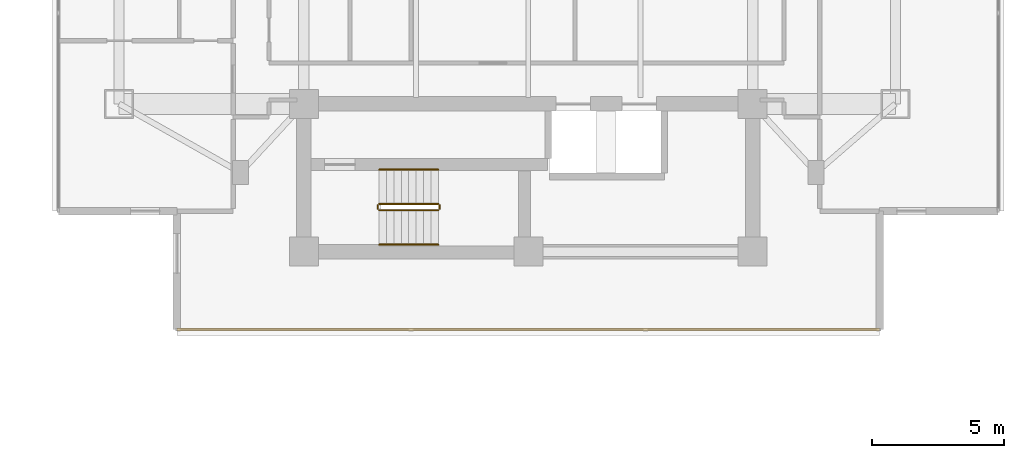
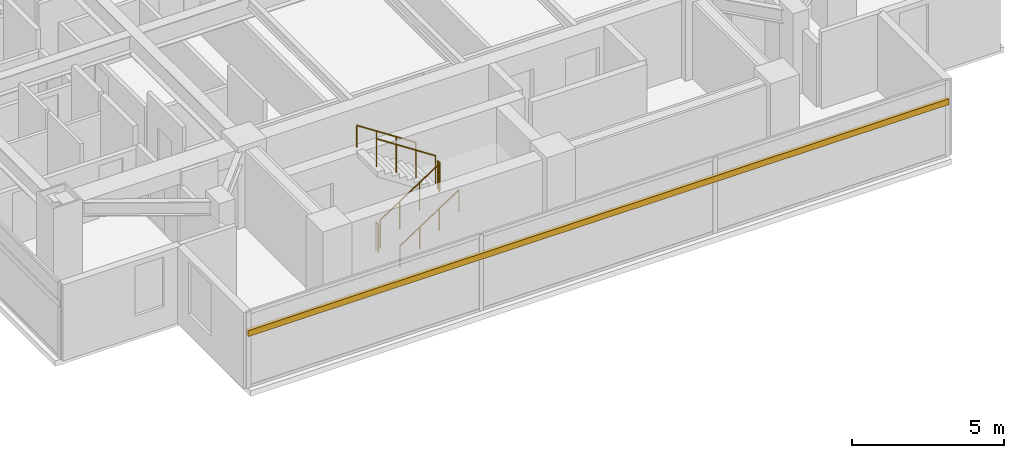
# One storey, part 23 of 25: 6 railings, 1 shading device.
"""IFC4 building model written with IfcOpenShell, lengths in metres."""

from ifc_helpers import new_model, si_unit, direction, frame, origin, origin_2d, place, context, subcontext, project, spatial, rectangle, circle, extrude, material, material_profile, profile_set, type_object, element, save


model = new_model("IFC4")

# Units and contexts
model_context = context("Model", 3, precision=1e-05, world=origin(), true_north=direction((0.0, 1.0)))
body_context = subcontext(model_context, "Body", "Model", "MODEL_VIEW")
ifc_project = project(units=[si_unit("LENGTHUNIT", "METRE"), si_unit("AREAUNIT", "SQUARE_METRE"), si_unit("VOLUMEUNIT", "CUBIC_METRE"), si_unit("PLANEANGLEUNIT", "RADIAN"), si_unit("MASSUNIT", "GRAM", prefix="KILO")], contexts=[model_context])

# Site, building, storey
site_placement = place(None, origin())
site = spatial("IfcSite", under=ifc_project, at=site_placement, CompositionType="ELEMENT")
building_placement = place(site_placement, origin())
building = spatial("IfcBuilding", under=site, at=building_placement, Name="Mirazonda Arch Towers", CompositionType="ELEMENT")
storey_placement = place(building_placement, frame((0.0, 0.0, 131.300048828125)))
storey = spatial("IfcBuildingStorey", under=building, at=storey_placement, Name="L37", CompositionType="ELEMENT", Elevation=131.300048828125)

# Shading device
ifc_material_1 = material(Name="Kiln-Fired Architectural Terracotta", Category="masonry")
ifc_material_profile = material_profile(ifc_material_1, rectangle(XDim=0.1201171875, YDim=0.239990234375, at=origin_2d()), Name="TERRA-BAG-120x240")
ifc_profile_set = profile_set([ifc_material_profile], Name="Kiln-Fired Architectural Terracotta")
shading_device_type = type_object("IfcShadingDeviceType", Name="BAGUETTE-1", PredefinedType="USERDEFINED", material=ifc_profile_set)
shading_device_placement = place(storey_placement, frame((89.810546875, 12.247802734375, 2.203125), z_axis=(-1.0, 0.0, 0.0), x_axis=(0.0, -1.0, 0.0)))
element("IfcShadingDevice", 1, at=shading_device_placement, inside=storey, type_object=shading_device_type, Name="L37 Glazed Terracotta Sun-Screen Baguette CW-L37-T2-S", ObjectType="BAGUETTE", PredefinedType="USERDEFINED", context=body_context, shape_type="SweptSolid", body=[
    extrude(rectangle(XDim=0.1201171875, YDim=0.239990234375, at=origin_2d()), origin(), (0.0, 0.0, 1.0), 26.62109375),
])

# Railings
ifc_material_2 = material(Name="Architectural Brushed Steel S355", Category="steel")
railing_type_1 = type_object("IfcRailingType", Name="GUARD-STAIR-1120", PredefinedType="GUARDRAIL", material=ifc_material_2)
railing_1_placement = place(storey_placement, frame((70.85009765625, 16.77001953125, 0.183349609375)))
element("IfcRailing", 2, at=railing_1_placement, inside=storey, type_object=railing_type_1, Name="L37 ST-T2S stair guard 1", PredefinedType="GUARDRAIL", context=body_context, shape_type="SweptSolid", body=[
    extrude(circle(Radius=0.02392578125, at=origin_2d()), frame((0.0, 0.0, 1.1259765625), z_axis=(0.836636935527, 0.0, 0.547757827979), x_axis=(0.0, 1.0, 0.0)), (0.0, 0.0, 1.0), 2.677490234375),
    extrude(circle(Radius=0.02099609375, at=origin_2d()), origin(), (0.0, 0.0, 1.0), 1.101806640625),
    extrude(circle(Radius=0.02099609375, at=origin_2d()), frame((0.74658203125, 0.0, 0.48876953125)), (0.0, 0.0, 1.0), 1.101806640625),
    extrude(circle(Radius=0.02099609375, at=origin_2d()), frame((1.493408203125, 0.0, 0.977783203125)), (0.0, 0.0, 1.0), 1.101806640625),
    extrude(circle(Radius=0.02099609375, at=origin_2d()), frame((2.239990234375, 0.0, 1.466552734375)), (0.0, 0.0, 1.0), 1.101806640625),
])
railing_2_placement = place(storey_placement, frame((73.139892578125, 16.820068359375, 1.64990234375)))
element("IfcRailing", 3, at=railing_2_placement, inside=storey, type_object=railing_type_1, Name="L37 ST-T2S stair guard 2", PredefinedType="GUARDRAIL", context=body_context, shape_type="SweptSolid", body=[
    extrude(circle(Radius=0.02392578125, at=origin_2d()), frame((0.0, 0.0, 1.1259765625), z_axis=(0.0, 1.0, 0.0), x_axis=(-1.0, 0.0, 0.0)), (0.0, 0.0, 1.0), 0.139892578125),
    extrude(circle(Radius=0.02099609375, at=origin_2d()), origin(), (0.0, 0.0, 1.0), 1.101806640625),
    extrude(circle(Radius=0.02099609375, at=origin_2d()), frame((0.0, 0.139892578125, 0.0)), (0.0, 0.0, 1.0), 1.101806640625),
])
railing_3_placement = place(storey_placement, frame((73.090087890625, 17.010009765625, 1.833251953125)))
element("IfcRailing", 4, at=railing_3_placement, inside=storey, type_object=railing_type_1, Name="L37 ST-T2S stair guard 3", PredefinedType="GUARDRAIL", context=body_context, shape_type="SweptSolid", body=[
    extrude(circle(Radius=0.02392578125, at=origin_2d()), frame((0.0, 0.0, 1.1259765625), z_axis=(-0.836595146698, 0.0, 0.547821650285), x_axis=(0.0, -1.0, 0.0)), (0.0, 0.0, 1.0), 2.677490234375),
    extrude(circle(Radius=0.02099609375, at=origin_2d()), origin(), (0.0, 0.0, 1.0), 1.101806640625),
    extrude(circle(Radius=0.02099609375, at=origin_2d()), frame((-0.74658203125, 0.0, 0.489013671875)), (0.0, 0.0, 1.0), 1.101806640625),
    extrude(circle(Radius=0.02099609375, at=origin_2d()), frame((-1.493408203125, 0.0, 0.977783203125)), (0.0, 0.0, 1.0), 1.101806640625),
    extrude(circle(Radius=0.02099609375, at=origin_2d()), frame((-2.239990234375, 0.0, 1.466796875)), (0.0, 0.0, 1.0), 1.101806640625),
])
railing_4_placement = place(storey_placement, frame((70.800048828125, 16.820068359375, 0.0)))
element("IfcRailing", 5, at=railing_4_placement, inside=storey, type_object=railing_type_1, Name="L37 ST-T2S stair guard 4", PredefinedType="GUARDRAIL", context=body_context, shape_type="SweptSolid", body=[
    extrude(circle(Radius=0.02392578125, at=origin_2d()), frame((0.0, 0.0, 1.1259765625), z_axis=(0.0, 1.0, 0.0), x_axis=(-1.0, 0.0, 0.0)), (0.0, 0.0, 1.0), 0.139892578125),
    extrude(circle(Radius=0.02099609375, at=origin_2d()), origin(), (0.0, 0.0, 1.0), 1.101806640625),
    extrude(circle(Radius=0.02099609375, at=origin_2d()), frame((0.0, 0.139892578125, 0.0)), (0.0, 0.0, 1.0), 1.101806640625),
])
railing_type_2 = type_object("IfcRailingType", Name="HANDRAIL-915", PredefinedType="HANDRAIL", material=ifc_material_2)
railing_5_placement = place(storey_placement, frame((70.85009765625, 15.469970703125, 0.183349609375)))
element("IfcRailing", 6, at=railing_5_placement, inside=storey, type_object=railing_type_2, Name="L37 ST-T2S stair handrail 1", PredefinedType="HANDRAIL", context=body_context, shape_type="SweptSolid", body=[
    extrude(circle(Radius=0.02392578125, at=origin_2d()), frame((0.0, 0.0, 0.8759765625), z_axis=(0.836636935527, 0.0, 0.547757827979), x_axis=(0.0, 1.0, 0.0)), (0.0, 0.0, 1.0), 2.677490234375),
    extrude(circle(Radius=0.02099609375, at=origin_2d()), origin(), (0.0, 0.0, 1.0), 0.851806640625),
    extrude(circle(Radius=0.02099609375, at=origin_2d()), frame((0.74658203125, 0.0, 0.48876953125)), (0.0, 0.0, 1.0), 0.851806640625),
    extrude(circle(Radius=0.02099609375, at=origin_2d()), frame((1.493408203125, 0.0, 0.977783203125)), (0.0, 0.0, 1.0), 0.851806640625),
    extrude(circle(Radius=0.02099609375, at=origin_2d()), frame((2.239990234375, 0.0, 1.466552734375)), (0.0, 0.0, 1.0), 0.851806640625),
])
railing_6_placement = place(storey_placement, frame((73.090087890625, 18.31005859375, 1.833251953125)))
element("IfcRailing", 7, at=railing_6_placement, inside=storey, type_object=railing_type_2, Name="L37 ST-T2S stair handrail 2", PredefinedType="HANDRAIL", context=body_context, shape_type="SweptSolid", body=[
    extrude(circle(Radius=0.02392578125, at=origin_2d()), frame((0.0, 0.0, 0.8759765625), z_axis=(-0.836595146698, 0.0, 0.547821650285), x_axis=(0.0, -1.0, 0.0)), (0.0, 0.0, 1.0), 2.677490234375),
    extrude(circle(Radius=0.02099609375, at=origin_2d()), origin(), (0.0, 0.0, 1.0), 0.851806640625),
    extrude(circle(Radius=0.02099609375, at=origin_2d()), frame((-0.74658203125, 0.0, 0.489013671875)), (0.0, 0.0, 1.0), 0.851806640625),
    extrude(circle(Radius=0.02099609375, at=origin_2d()), frame((-1.493408203125, 0.0, 0.977783203125)), (0.0, 0.0, 1.0), 0.851806640625),
    extrude(circle(Radius=0.02099609375, at=origin_2d()), frame((-2.239990234375, 0.0, 1.466796875)), (0.0, 0.0, 1.0), 0.851806640625),
])

save(model, "model.ifc")
